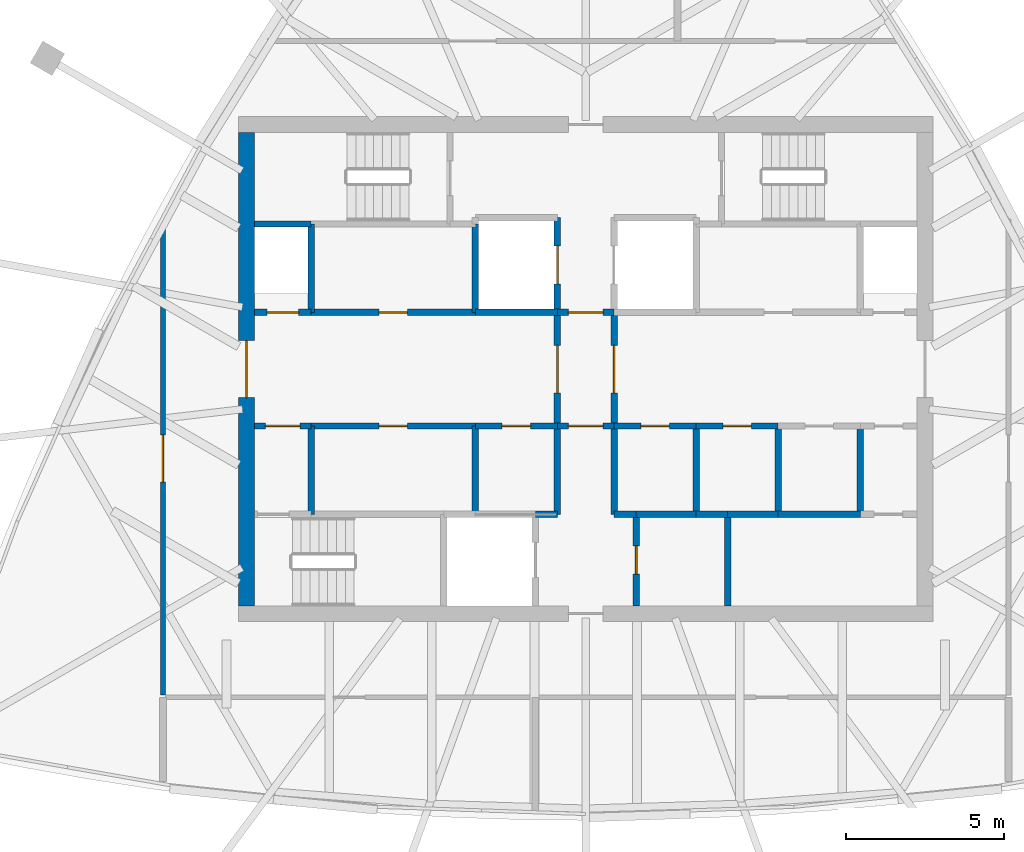
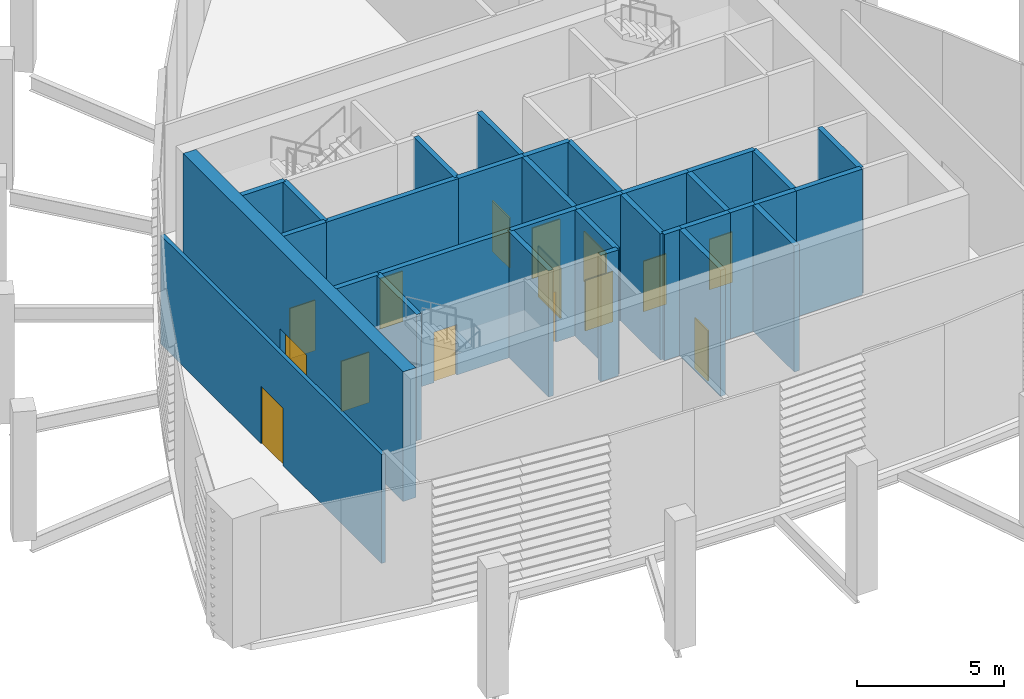
# One storey, part 3 of 8: 33 walls, 15 doors, 15 openings.
"""IFC4 building model written with IfcOpenShell, lengths in metres."""

import ifcopenshell
import ifcopenshell.guid

model = None  # the IFC model being written
_history = None  # IfcOwnerHistory: only IFC2X3 demands one
_inside = {}  # id of a spatial element -> (the spatial element, [elements in it])
_under = {}  # id of a project, library or spatial element -> (it, [spatial elements below it])
_declared = {}  # id of a project -> (the project, [libraries it declares])
_typed = {}  # id of a type object -> (the type object, [elements of that type])
_made_of = {}  # id of a material, layer set ... -> (it, [elements and type objects made of it])


def new_model(schema):
    """Start an empty IFC model of exactly this schema.

    Asked for "IFC4X3", IfcOpenShell would pick the latest addendum, in which some entities
    have other attributes; the version numbers below select the first issue.
    IFC2X3 requires an IfcOwnerHistory on every rooted entity: one is made here for all.
    """
    global model, _history
    if schema == "IFC4X3":
        model = ifcopenshell.file(schema_version=(4, 3, 0, 0))
    else:
        model = ifcopenshell.file(schema=schema)
    _inside.clear()
    _under.clear()
    _declared.clear()
    _typed.clear()
    _made_of.clear()
    _history = None
    if model.schema == "IFC2X3":
        org = make("IfcOrganization", Name="unknown")
        user = make(
            "IfcPersonAndOrganization",
            ThePerson=make("IfcPerson", FamilyName="unknown"),
            TheOrganization=org,
        )
        app = make(
            "IfcApplication",
            ApplicationDeveloper=org,
            Version="unknown",
            ApplicationFullName="unknown",
            ApplicationIdentifier="unknown",
        )
        _history = make(
            "IfcOwnerHistory",
            OwningUser=user,
            OwningApplication=app,
            ChangeAction="ADDED",
            CreationDate=0,
        )
    return model


def make(cls, **values):
    """One entity of the class cls with the attributes given. An attribute that is None is left unset."""
    return model.create_entity(
        cls, **{name: value for name, value in values.items() if value is not None}
    )


def rooted(cls, **values):
    """An entity with a GlobalId (a new one), such as an element, a storey or a relation."""
    return make(cls, GlobalId=ifcopenshell.guid.new(), OwnerHistory=_history, **values)


def si_unit(unit_type, name, prefix=None):
    """IfcSIUnit, for example si_unit("LENGTHUNIT", "METRE", prefix="MILLI")."""
    return make("IfcSIUnit", UnitType=unit_type, Prefix=prefix, Name=name)


def assignment(units):
    """IfcUnitAssignment: the units of a project."""
    return None if units is None else make("IfcUnitAssignment", Units=units)


def point(xyz):
    """IfcCartesianPoint."""
    return None if xyz is None else make("IfcCartesianPoint", Coordinates=xyz)


def direction(xyz):
    """IfcDirection."""
    return None if xyz is None else make("IfcDirection", DirectionRatios=xyz)


def frame(location, z_axis=None, x_axis=None):
    """IfcAxis2Placement3D, a coordinate frame: its origin and axes. An axis left out is left unset."""
    return make(
        "IfcAxis2Placement3D",
        Location=point(location),
        Axis=direction(z_axis),
        RefDirection=direction(x_axis),
    )


def frame_2d(location, x_axis=None):
    """IfcAxis2Placement2D, a coordinate frame in the plane: its origin and x axis."""
    return make(
        "IfcAxis2Placement2D", Location=point(location), RefDirection=direction(x_axis)
    )


def origin():
    """The frame at (0, 0, 0) with its axes left unset."""
    return frame((0.0, 0.0, 0.0))


def place(relative_to, where):
    """IfcLocalPlacement: puts the frame where relative to a parent placement (None: the world)."""
    return make(
        "IfcLocalPlacement", PlacementRelTo=relative_to, RelativePlacement=where
    )


def context(
    kind, dimensions, precision=None, world=None, true_north=None, identifier=None
):
    """IfcGeometricRepresentationContext, for example the 3D "Model" context."""
    return make(
        "IfcGeometricRepresentationContext",
        ContextIdentifier=identifier,
        ContextType=kind,
        CoordinateSpaceDimension=dimensions,
        Precision=precision,
        WorldCoordinateSystem=world,
        TrueNorth=true_north,
    )


def subcontext(parent, identifier, kind, view, scale=None):
    """IfcGeometricRepresentationSubContext, for example "Body" below "Model"."""
    return make(
        "IfcGeometricRepresentationSubContext",
        ContextIdentifier=identifier,
        ContextType=kind,
        ParentContext=parent,
        TargetScale=scale,
        TargetView=view,
    )


def project(units=None, contexts=None):
    """IfcProject with its units and contexts."""
    return rooted(
        "IfcProject",
        Name="project",
        RepresentationContexts=contexts,
        UnitsInContext=assignment(units),
    )


def spatial(cls, under=None, at=None, **own):
    """A site, building, storey or space (cls), placed at a placement, below another one or the project."""
    s = rooted(cls, ObjectPlacement=at, **own)
    if under is not None:
        _under.setdefault(under.id(), (under, []))[1].append(s)
    return s


def profile(cls, at=None, kind="AREA", **sizes):
    """A parametric profile (cls). Its sizes go by their IFC names, for example OverallWidth=200.0."""
    return make(cls, ProfileType=kind, Position=at, **sizes)


def rectangle(**sizes):
    """IfcRectangleProfileDef."""
    return profile("IfcRectangleProfileDef", **sizes)


def extrude(swept, where, along, depth):
    """IfcExtrudedAreaSolid: the profile swept, set in the frame where, extruded along a direction by depth."""
    return make(
        "IfcExtrudedAreaSolid",
        SweptArea=swept,
        Position=where,
        ExtrudedDirection=direction(along),
        Depth=depth,
    )


def shape(context_of_items, identifier, shape_type, items):
    """IfcShapeRepresentation: the items that make up one representation, for example the "Body"."""
    return make(
        "IfcShapeRepresentation",
        ContextOfItems=context_of_items,
        RepresentationIdentifier=identifier,
        RepresentationType=shape_type,
        Items=items,
    )


def material(Name=None, Category=None):
    """IfcMaterial."""
    return make("IfcMaterial", Name=Name, Category=Category)


def layer(
    of_material, thickness, ventilated=None, Name=None, Category=None, Priority=None
):
    """IfcMaterialLayer: one layer of a wall or slab, of a material (None: an air gap)."""
    return make(
        "IfcMaterialLayer",
        Material=of_material,
        LayerThickness=thickness,
        IsVentilated=ventilated,
        Name=Name,
        Category=Category,
        Priority=Priority,
    )


def layer_set(layers, Name=None):
    """IfcMaterialLayerSet."""
    return make("IfcMaterialLayerSet", MaterialLayers=layers, LayerSetName=Name)


def made_of(thing, what):
    """Note that an element or type object is made of a material, layer set ...; save() writes the relation."""
    if what is not None:
        _made_of.setdefault(what.id(), (what, []))[1].append(thing)
    return thing


def type_object(cls, material=None, **own):
    """A type object (cls), such as IfcWallType, which elements share."""
    return made_of(rooted(cls, **own), material)


def element(
    cls,
    number,
    at=None,
    inside=None,
    cuts=None,
    type_object=None,
    material=None,
    context=None,
    identifier="Body",
    shape_type=None,
    held_by="IfcProductDefinitionShape",
    body=None,
    shapes=None,
    **own,
):
    """One element of the class cls, such as IfcWall. Its Tag is "e" and its number.

    at: its placement. inside: the storey or other place that contains it. cuts: it is an
    opening in that element (IfcRelVoidsElement). A single representation is given by context,
    identifier, shape_type and body (its items); several are given by shapes. held_by: the class
    of the entity that holds the representations. save() writes the other relations.
    """
    e = rooted(cls, Tag="e%d" % number, ObjectPlacement=at, **own)
    if body is not None:
        shapes = [shape(context, identifier, shape_type, body)]
    if shapes is not None:
        e.Representation = make(held_by, Representations=shapes)
    if inside is not None:
        _inside.setdefault(inside.id(), (inside, []))[1].append(e)
    if cuts is not None:
        rooted(
            "IfcRelVoidsElement", RelatingBuildingElement=cuts, RelatedOpeningElement=e
        )
    if type_object is not None:
        _typed.setdefault(type_object.id(), (type_object, []))[1].append(e)
    return made_of(e, material)


def fill(opening, filler):
    """IfcRelFillsElement: the door or window that sits in an opening."""
    return rooted(
        "IfcRelFillsElement",
        RelatingOpeningElement=opening,
        RelatedBuildingElement=filler,
    )


def aggregate(whole, parts):
    """IfcRelAggregates: a whole, such as a stair, and the parts it consists of."""
    return rooted("IfcRelAggregates", RelatingObject=whole, RelatedObjects=parts)


def save(model, path):
    """Write the relations noted so far, then the file.

    IfcRelAggregates (storeys below a building ...), IfcRelContainedInSpatialStructure (elements
    in a storey), IfcRelDefinesByType, IfcRelAssociatesMaterial and IfcRelDeclares: one each for
    every whole, place, type object, material and project.
    """
    for whole, parts in _under.values():
        aggregate(whole, parts)
    for where, things in _inside.values():
        rooted(
            "IfcRelContainedInSpatialStructure",
            RelatedElements=things,
            RelatingStructure=where,
        )
    for kind, things in _typed.values():
        rooted("IfcRelDefinesByType", RelatedObjects=things, RelatingType=kind)
    for what, things in _made_of.values():
        rooted("IfcRelAssociatesMaterial", RelatedObjects=things, RelatingMaterial=what)
    for by, libraries in _declared.values():
        rooted("IfcRelDeclares", RelatingContext=by, RelatedDefinitions=libraries)
    model.write(path)


model = new_model("IFC4")

# Units and contexts
model_context = context("Model", 3, precision=1e-05, world=origin(), true_north=direction((0.0, 1.0)))
body_context = subcontext(model_context, "Body", "Model", "MODEL_VIEW")
ifc_project = project(units=[si_unit("LENGTHUNIT", "METRE"), si_unit("AREAUNIT", "SQUARE_METRE"), si_unit("VOLUMEUNIT", "CUBIC_METRE"), si_unit("PLANEANGLEUNIT", "RADIAN"), si_unit("MASSUNIT", "GRAM", prefix="KILO")], contexts=[model_context])

# Site, building, storey
site_placement = place(None, origin())
site = spatial("IfcSite", under=ifc_project, at=site_placement, CompositionType="ELEMENT")
building_placement = place(site_placement, origin())
building = spatial("IfcBuilding", under=site, at=building_placement, Name="Sierra Prisma Convention Tower", CompositionType="ELEMENT")
storey_placement = place(building_placement, frame((0.0, 0.0, 350.199951171875)))
storey = spatial("IfcBuildingStorey", under=building, at=storey_placement, Name="L78", CompositionType="ELEMENT", Elevation=350.199951171875)

# Wall, opening, door
ifc_material_1 = material(Name="Concrete C30/37", Category="concrete")
ifc_layer_1 = layer(ifc_material_1, 0.199951171875)
ifc_layer_set_1 = layer_set([ifc_layer_1], Name="Core wall RC 200 C30/37")
wall_type_1 = type_object("IfcWallType", Name="Core wall RC 200 C30/37", PredefinedType="SOLIDWALL", material=ifc_layer_set_1)
wall_1_placement = place(storey_placement, frame((-10.5, -1.800048828125, 0.0), z_axis=(0.0, 0.0, 1.0), x_axis=(1.0, 0.0, 0.0)))
wall_1 = element("IfcWall", 1, at=wall_1_placement, inside=storey, type_object=wall_type_1, Name="Core wall L78 2", PredefinedType="SOLIDWALL", context=body_context, shape_type="SweptSolid", body=[
    extrude(rectangle(XDim=1.800048828125, YDim=0.199951171875, at=frame_2d((0.89990234375, 0.0))), origin(), (0.0, 0.0, 1.0), 5.25),
])
opening_1_placement = place(wall_1_placement, frame((0.35009765625, 0.0, 0.0)))
opening_1 = element("IfcOpeningElement", 2, at=opening_1_placement, cuts=wall_1, Name="Opening L78-D006", PredefinedType="OPENING", context=body_context, shape_type="SweptSolid", body=[
    extrude(rectangle(XDim=1.10009765625, YDim=2.10009765625, at=frame_2d((0.550048828125, 1.050048828125))), frame((0.0, 0.10009765625, 0.0), z_axis=(0.0, -1.0, 0.0), x_axis=(1.0, 0.0, 0.0)), (0.0, 0.0, 1.0), 0.199951171875),
])
ifc_material_2 = material(Name="Steel fire door leaf", Category="steel")
door_type_1 = type_object("IfcDoorType", Name="Door 1100x2100 FD90S", OperationType="SINGLE_SWING_LEFT", PredefinedType="DOOR", material=ifc_material_2)
door_1_placement = place(opening_1_placement, origin())
door_1 = element("IfcDoor", 3, at=door_1_placement, inside=storey, type_object=door_type_1, Name="Door L78 12", OperationType="SINGLE_SWING_LEFT", OverallHeight=2.10009765625, OverallWidth=1.10009765625, PredefinedType="DOOR", context=body_context, shape_type="SweptSolid", body=[
    extrude(rectangle(XDim=1.10009765625, YDim=2.10009765625, at=frame_2d((0.550048828125, 1.050048828125))), frame((0.0, 0.02490234375, 0.0), z_axis=(0.0, -1.0, 0.0), x_axis=(1.0, 0.0, 0.0)), (0.0, 0.0, 1.0), 0.050048828125),
])
fill(opening_1, door_1)

wall_2_placement = place(storey_placement, frame((-8.699951171875, 1.800048828125, 0.0), z_axis=(0.0, 0.0, 1.0), x_axis=(-1.0, 0.0, 0.0)))
wall_2 = element("IfcWall", 4, at=wall_2_placement, inside=storey, type_object=wall_type_1, Name="Core wall L78 3", PredefinedType="SOLIDWALL", context=body_context, shape_type="SweptSolid", body=[
    extrude(rectangle(XDim=1.800048828125, YDim=0.199951171875, at=frame_2d((0.89990234375, 0.0))), origin(), (0.0, 0.0, 1.0), 5.25),
])
opening_2_placement = place(wall_2_placement, frame((0.39990234375, 0.0, 0.0)))
opening_2 = element("IfcOpeningElement", 5, at=opening_2_placement, cuts=wall_2, Name="Opening L78-D009", PredefinedType="OPENING", context=body_context, shape_type="SweptSolid", body=[
    extrude(rectangle(XDim=1.0, YDim=2.10009765625, at=frame_2d((0.5, 1.050048828125))), frame((0.0, 0.10009765625, 0.0), z_axis=(0.0, -1.0, 0.0), x_axis=(1.0, 0.0, 0.0)), (0.0, 0.0, 1.0), 0.199951171875),
])
ifc_material_3 = material(Name="Steel fire door leaf", Category="steel")
door_type_2 = type_object("IfcDoorType", Name="Door 1000x2100 FD60S", OperationType="SINGLE_SWING_LEFT", PredefinedType="DOOR", material=ifc_material_3)
door_2_placement = place(opening_2_placement, origin())
door_2 = element("IfcDoor", 6, at=door_2_placement, inside=storey, type_object=door_type_2, Name="Door L78 15", OperationType="SINGLE_SWING_RIGHT", OverallHeight=2.10009765625, OverallWidth=1.0, PredefinedType="DOOR", context=body_context, shape_type="SweptSolid", body=[
    extrude(rectangle(XDim=1.0, YDim=2.10009765625, at=frame_2d((0.5, 1.050048828125))), frame((0.0, 0.02490234375, 0.0), z_axis=(0.0, -1.0, 0.0), x_axis=(1.0, 0.0, 0.0)), (0.0, 0.0, 1.0), 0.050048828125),
])
fill(opening_2, door_2)

# Walls
wall_3_placement = place(storey_placement, frame((-8.699951171875, 4.60009765625, 0.0), z_axis=(0.0, 0.0, 1.0), x_axis=(-1.0, 0.0, 0.0)))
element("IfcWall", 7, at=wall_3_placement, inside=storey, type_object=wall_type_1, Name="Core wall L78 4", PredefinedType="SOLIDWALL", context=body_context, shape_type="SweptSolid", body=[
    extrude(rectangle(XDim=1.800048828125, YDim=0.199951171875, at=frame_2d((0.89990234375, 0.0))), origin(), (0.0, 0.0, 1.0), 5.25),
])
wall_4_placement = place(storey_placement, frame((-8.699951171875, -1.800048828125, 0.0), z_axis=(0.0, 0.0, 1.0), x_axis=(0.0, -1.0, 0.0)))
element("IfcWall", 8, at=wall_4_placement, inside=storey, type_object=wall_type_1, Name="Core wall L78 6", PredefinedType="SOLIDWALL", context=body_context, shape_type="SweptSolid", body=[
    extrude(rectangle(XDim=2.800048828125, YDim=0.199951171875, at=frame_2d((1.39990234375, 0.0))), origin(), (0.0, 0.0, 1.0), 5.25),
])

# Wall, opening, door
wall_5_placement = place(storey_placement, frame((-3.5, -1.800048828125, 0.0), z_axis=(0.0, 0.0, 1.0), x_axis=(-1.0, 0.0, 0.0)))
wall_5 = element("IfcWall", 9, at=wall_5_placement, inside=storey, type_object=wall_type_1, Name="Core wall L78 7", PredefinedType="SOLIDWALL", context=body_context, shape_type="SweptSolid", body=[
    extrude(rectangle(XDim=5.199951171875, YDim=0.199951171875, at=frame_2d((2.60009765625, 0.0))), origin(), (0.0, 0.0, 1.0), 5.25),
])
opening_3_placement = place(wall_5_placement, frame((2.14990234375, 0.0, 0.0)))
opening_3 = element("IfcOpeningElement", 10, at=opening_3_placement, cuts=wall_5, Name="Opening L78-D015", PredefinedType="OPENING", context=body_context, shape_type="SweptSolid", body=[
    extrude(rectangle(XDim=0.89990234375, YDim=2.10009765625, at=frame_2d((0.449951171875, 1.050048828125))), frame((0.0, 0.10009765625, 0.0), z_axis=(0.0, -1.0, 0.0), x_axis=(1.0, 0.0, 0.0)), (0.0, 0.0, 1.0), 0.199951171875),
])
ifc_material_4 = material(Name="Steel fire door leaf", Category="steel")
door_type_3 = type_object("IfcDoorType", Name="Door 900x2100 FD30S", OperationType="SINGLE_SWING_LEFT", PredefinedType="DOOR", material=ifc_material_4)
door_3_placement = place(opening_3_placement, origin())
door_3 = element("IfcDoor", 11, at=door_3_placement, inside=storey, type_object=door_type_3, Name="Door L78 21", OperationType="SINGLE_SWING_LEFT", OverallHeight=2.10009765625, OverallWidth=0.89990234375, PredefinedType="DOOR", context=body_context, shape_type="SweptSolid", body=[
    extrude(rectangle(XDim=0.89990234375, YDim=2.10009765625, at=frame_2d((0.449951171875, 1.050048828125))), frame((0.0, 0.02490234375, 0.0), z_axis=(0.0, -1.0, 0.0), x_axis=(1.0, 0.0, 0.0)), (0.0, 0.0, 1.0), 0.050048828125),
])
fill(opening_3, door_3)

wall_6_placement = place(storey_placement, frame((-8.699951171875, 1.800048828125, 0.0), z_axis=(0.0, 0.0, 1.0), x_axis=(1.0, 0.0, 0.0)))
wall_6 = element("IfcWall", 12, at=wall_6_placement, inside=storey, type_object=wall_type_1, Name="Core wall L78 8", PredefinedType="SOLIDWALL", context=body_context, shape_type="SweptSolid", body=[
    extrude(rectangle(XDim=5.199951171875, YDim=0.199951171875, at=frame_2d((2.60009765625, 0.0))), origin(), (0.0, 0.0, 1.0), 5.25),
])
opening_4_placement = place(wall_6_placement, frame((2.14990234375, 0.0, 0.0)))
opening_4 = element("IfcOpeningElement", 13, at=opening_4_placement, cuts=wall_6, Name="Opening L78-D020", PredefinedType="OPENING", context=body_context, shape_type="SweptSolid", body=[
    extrude(rectangle(XDim=0.89990234375, YDim=2.10009765625, at=frame_2d((0.449951171875, 1.050048828125))), frame((0.0, 0.10009765625, 0.0), z_axis=(0.0, -1.0, 0.0), x_axis=(1.0, 0.0, 0.0)), (0.0, 0.0, 1.0), 0.199951171875),
])
door_4_placement = place(opening_4_placement, origin())
door_4 = element("IfcDoor", 14, at=door_4_placement, inside=storey, type_object=door_type_3, Name="Door L78 26", OperationType="SINGLE_SWING_RIGHT", OverallHeight=2.10009765625, OverallWidth=0.89990234375, PredefinedType="DOOR", context=body_context, shape_type="SweptSolid", body=[
    extrude(rectangle(XDim=0.89990234375, YDim=2.10009765625, at=frame_2d((0.449951171875, 1.050048828125))), frame((0.0, 0.02490234375, 0.0), z_axis=(0.0, -1.0, 0.0), x_axis=(1.0, 0.0, 0.0)), (0.0, 0.0, 1.0), 0.050048828125),
])
fill(opening_4, door_4)

# Walls
for number, where, z_axis, x_axis, name in (
    (15, (-8.699951171875, 4.60009765625, 0.0), (0.0, 0.0, 1.0), (0.0, -1.0, 0.0), "Core wall L78 9"),
    (16, (-3.5, -4.60009765625, 0.0), (0.0, 0.0, 1.0), (0.0, 1.0, 0.0), "Core wall L78 16"),
):
    element("IfcWall", number, at=place(storey_placement, frame(where, z_axis=z_axis, x_axis=x_axis)), inside=storey, type_object=wall_type_1, Name=name, PredefinedType="SOLIDWALL", context=body_context, shape_type="SweptSolid", body=[
        extrude(rectangle(XDim=2.800048828125, YDim=0.199951171875, at=frame_2d((1.39990234375, 0.0))), origin(), (0.0, 0.0, 1.0), 5.25),
    ])

# Wall, opening, door
wall_7_placement = place(storey_placement, frame((-0.89990234375, -1.800048828125, 0.0), z_axis=(0.0, 0.0, 1.0), x_axis=(-1.0, 0.0, 0.0)))
wall_7 = element("IfcWall", 17, at=wall_7_placement, inside=storey, type_object=wall_type_1, Name="Core wall L78 17", PredefinedType="SOLIDWALL", context=body_context, shape_type="SweptSolid", body=[
    extrude(rectangle(XDim=2.60009765625, YDim=0.199951171875, at=frame_2d((1.300048828125, 0.0))), origin(), (0.0, 0.0, 1.0), 5.25),
])
opening_5_placement = place(wall_7_placement, frame((0.85009765625, 0.0, 0.0)))
opening_5 = element("IfcOpeningElement", 18, at=opening_5_placement, cuts=wall_7, Name="Opening L78-D016", PredefinedType="OPENING", context=body_context, shape_type="SweptSolid", body=[
    extrude(rectangle(XDim=0.89990234375, YDim=2.10009765625, at=frame_2d((0.449951171875, 1.050048828125))), frame((0.0, 0.10009765625, 0.0), z_axis=(0.0, -1.0, 0.0), x_axis=(1.0, 0.0, 0.0)), (0.0, 0.0, 1.0), 0.199951171875),
])
door_5_placement = place(opening_5_placement, origin())
door_5 = element("IfcDoor", 19, at=door_5_placement, inside=storey, type_object=door_type_3, Name="Door L78 22", OperationType="SINGLE_SWING_LEFT", OverallHeight=2.10009765625, OverallWidth=0.89990234375, PredefinedType="DOOR", context=body_context, shape_type="SweptSolid", body=[
    extrude(rectangle(XDim=0.89990234375, YDim=2.10009765625, at=frame_2d((0.449951171875, 1.050048828125))), frame((0.0, 0.02490234375, 0.0), z_axis=(0.0, -1.0, 0.0), x_axis=(1.0, 0.0, 0.0)), (0.0, 0.0, 1.0), 0.050048828125),
])
fill(opening_5, door_5)

# Walls
wall_8_placement = place(storey_placement, frame((-0.89990234375, 1.800048828125, 0.0), z_axis=(0.0, 0.0, 1.0), x_axis=(-1.0, 0.0, 0.0)))
element("IfcWall", 20, at=wall_8_placement, inside=storey, type_object=wall_type_1, Name="Core wall L78 18", PredefinedType="SOLIDWALL", context=body_context, shape_type="SweptSolid", body=[
    extrude(rectangle(XDim=2.60009765625, YDim=0.199951171875, at=frame_2d((1.300048828125, 0.0))), origin(), (0.0, 0.0, 1.0), 5.25),
])
wall_9_placement = place(storey_placement, frame((-3.5, 1.800048828125, 0.0), z_axis=(0.0, 0.0, 1.0), x_axis=(0.0, 1.0, 0.0)))
element("IfcWall", 21, at=wall_9_placement, inside=storey, type_object=wall_type_1, Name="Core wall L78 19", PredefinedType="SOLIDWALL", context=body_context, shape_type="SweptSolid", body=[
    extrude(rectangle(XDim=2.800048828125, YDim=0.199951171875, at=frame_2d((1.39990234375, 0.0))), origin(), (0.0, 0.0, 1.0), 5.25),
])

# Wall, opening, door
wall_10_placement = place(storey_placement, frame((-0.89990234375, 1.800048828125, 0.0), z_axis=(0.0, 0.0, 1.0), x_axis=(0.0, 1.0, 0.0)))
wall_10 = element("IfcWall", 22, at=wall_10_placement, inside=storey, type_object=wall_type_1, Name="Core wall L78 20", PredefinedType="SOLIDWALL", context=body_context, shape_type="SweptSolid", body=[
    extrude(rectangle(XDim=3.0, YDim=0.199951171875, at=frame_2d((1.5, 0.0))), origin(), (0.0, 0.0, 1.0), 5.25),
])
opening_6_placement = place(wall_10_placement, frame((0.89990234375, 0.0, 0.0)))
opening_6 = element("IfcOpeningElement", 23, at=opening_6_placement, cuts=wall_10, Name="Opening L78-D001", PredefinedType="OPENING", context=body_context, shape_type="SweptSolid", body=[
    extrude(rectangle(XDim=1.199951171875, YDim=2.10009765625, at=frame_2d((0.60009765625, 1.050048828125))), frame((0.0, 0.10009765625, 0.0), z_axis=(0.0, -1.0, 0.0), x_axis=(1.0, 0.0, 0.0)), (0.0, 0.0, 1.0), 0.199951171875),
])
ifc_material_5 = material(Name="Steel fire door leaf", Category="steel")
door_type_4 = type_object("IfcDoorType", Name="Door 1200x2100 EI 90 sliding lift landing", OperationType="SLIDING_TO_LEFT", PredefinedType="DOOR", material=ifc_material_5)
door_6_placement = place(opening_6_placement, origin())
door_6 = element("IfcDoor", 24, at=door_6_placement, inside=storey, type_object=door_type_4, Name="Door L78 7", OperationType="SLIDING_TO_RIGHT", OverallHeight=2.10009765625, OverallWidth=1.199951171875, PredefinedType="DOOR", context=body_context, shape_type="SweptSolid", body=[
    extrude(rectangle(XDim=1.199951171875, YDim=2.10009765625, at=frame_2d((0.60009765625, 1.050048828125))), frame((0.0, 0.02490234375, 0.0), z_axis=(0.0, -1.0, 0.0), x_axis=(1.0, 0.0, 0.0)), (0.0, 0.0, 1.0), 0.050048828125),
])
fill(opening_6, door_6)

# Walls
wall_11_placement = place(storey_placement, frame((-1.60009765625, -4.60009765625, 0.0), z_axis=(0.0, 0.0, 1.0), x_axis=(1.0, 0.0, 0.0)))
element("IfcWall", 25, at=wall_11_placement, inside=storey, type_object=wall_type_1, Name="Core wall L78 24", PredefinedType="SOLIDWALL", context=body_context, shape_type="SweptSolid", body=[
    extrude(rectangle(XDim=0.7001953125, YDim=0.199951171875, at=frame_2d((0.35009765625, 0.0))), origin(), (0.0, 0.0, 1.0), 5.25),
])
wall_12_placement = place(storey_placement, frame((-0.89990234375, -4.60009765625, 0.0), z_axis=(0.0, 0.0, 1.0), x_axis=(0.0, 1.0, 0.0)))
element("IfcWall", 26, at=wall_12_placement, inside=storey, type_object=wall_type_1, Name="Core wall L78 25", PredefinedType="SOLIDWALL", context=body_context, shape_type="SweptSolid", body=[
    extrude(rectangle(XDim=2.800048828125, YDim=0.199951171875, at=frame_2d((1.39990234375, 0.0))), origin(), (0.0, 0.0, 1.0), 5.25),
])

# Wall, opening, door
wall_13_placement = place(storey_placement, frame((-0.89990234375, -1.800048828125, 0.0), z_axis=(0.0, 0.0, 1.0), x_axis=(1.0, 0.0, 0.0)))
wall_13 = element("IfcWall", 27, at=wall_13_placement, inside=storey, type_object=wall_type_1, Name="Core wall L78 26", PredefinedType="SOLIDWALL", context=body_context, shape_type="SweptSolid", body=[
    extrude(rectangle(XDim=1.7998046875, YDim=0.199951171875, at=frame_2d((0.89990234375, 0.0))), origin(), (0.0, 0.0, 1.0), 5.25),
])
opening_7_placement = place(wall_13_placement, frame((0.35009765625, 0.0, 0.0)))
opening_7 = element("IfcOpeningElement", 28, at=opening_7_placement, cuts=wall_13, Name="Opening L78-D008", PredefinedType="OPENING", context=body_context, shape_type="SweptSolid", body=[
    extrude(rectangle(XDim=1.10009765625, YDim=2.10009765625, at=frame_2d((0.550048828125, 1.050048828125))), frame((0.0, 0.10009765625, 0.0), z_axis=(0.0, -1.0, 0.0), x_axis=(1.0, 0.0, 0.0)), (0.0, 0.0, 1.0), 0.199951171875),
])
ifc_material_6 = material(Name="Steel fire door leaf", Category="steel")
door_type_5 = type_object("IfcDoorType", Name="Door 1100x2100 FD30S", OperationType="SINGLE_SWING_LEFT", PredefinedType="DOOR", material=ifc_material_6)
door_7_placement = place(opening_7_placement, origin())
door_7 = element("IfcDoor", 29, at=door_7_placement, inside=storey, type_object=door_type_5, Name="Door L78 14", OperationType="SINGLE_SWING_RIGHT", OverallHeight=2.10009765625, OverallWidth=1.10009765625, PredefinedType="DOOR", context=body_context, shape_type="SweptSolid", body=[
    extrude(rectangle(XDim=1.10009765625, YDim=2.10009765625, at=frame_2d((0.550048828125, 1.050048828125))), frame((0.0, 0.02490234375, 0.0), z_axis=(0.0, -1.0, 0.0), x_axis=(1.0, 0.0, 0.0)), (0.0, 0.0, 1.0), 0.050048828125),
])
fill(opening_7, door_7)

wall_14_placement = place(storey_placement, frame((-0.89990234375, 1.800048828125, 0.0), z_axis=(0.0, 0.0, 1.0), x_axis=(0.0, -1.0, 0.0)))
wall_14 = element("IfcWall", 30, at=wall_14_placement, inside=storey, type_object=wall_type_1, Name="Core wall L78 27", PredefinedType="SOLIDWALL", context=body_context, shape_type="SweptSolid", body=[
    extrude(rectangle(XDim=3.60009765625, YDim=0.199951171875, at=frame_2d((1.800048828125, 0.0))), origin(), (0.0, 0.0, 1.0), 5.25),
])
opening_8_placement = place(wall_14_placement, frame((1.050048828125, 0.0, 0.0)))
opening_8 = element("IfcOpeningElement", 31, at=opening_8_placement, cuts=wall_14, Name="Opening L78-D004", PredefinedType="OPENING", context=body_context, shape_type="SweptSolid", body=[
    extrude(rectangle(XDim=1.5, YDim=2.10009765625, at=frame_2d((0.75, 1.050048828125))), frame((0.0, 0.10009765625, 0.0), z_axis=(0.0, -1.0, 0.0), x_axis=(1.0, 0.0, 0.0)), (0.0, 0.0, 1.0), 0.199951171875),
])
ifc_material_7 = material(Name="Steel fire door leaf", Category="steel")
door_type_6 = type_object("IfcDoorType", Name="Door 1500x2100 FD30S", OperationType="DOUBLE_DOOR_SINGLE_SWING", PredefinedType="DOOR", material=ifc_material_7)
door_8_placement = place(opening_8_placement, origin())
door_8 = element("IfcDoor", 32, at=door_8_placement, inside=storey, type_object=door_type_6, Name="Door L78 10", OperationType="DOUBLE_DOOR_SINGLE_SWING", OverallHeight=2.10009765625, OverallWidth=1.5, PredefinedType="DOOR", context=body_context, shape_type="SweptSolid", body=[
    extrude(rectangle(XDim=1.5, YDim=2.10009765625, at=frame_2d((0.75, 1.050048828125))), frame((0.0, 0.02490234375, 0.0), z_axis=(0.0, -1.0, 0.0), x_axis=(1.0, 0.0, 0.0)), (0.0, 0.0, 1.0), 0.050048828125),
])
fill(opening_8, door_8)

wall_15_placement = place(storey_placement, frame((0.89990234375, 1.800048828125, 0.0), z_axis=(0.0, 0.0, 1.0), x_axis=(-1.0, 0.0, 0.0)))
wall_15 = element("IfcWall", 33, at=wall_15_placement, inside=storey, type_object=wall_type_1, Name="Core wall L78 28", PredefinedType="SOLIDWALL", context=body_context, shape_type="SweptSolid", body=[
    extrude(rectangle(XDim=1.7998046875, YDim=0.199951171875, at=frame_2d((0.89990234375, 0.0))), origin(), (0.0, 0.0, 1.0), 5.25),
])
opening_9_placement = place(wall_15_placement, frame((0.35009765625, 0.0, 0.0)))
opening_9 = element("IfcOpeningElement", 34, at=opening_9_placement, cuts=wall_15, Name="Opening L78-D007", PredefinedType="OPENING", context=body_context, shape_type="SweptSolid", body=[
    extrude(rectangle(XDim=1.10009765625, YDim=2.10009765625, at=frame_2d((0.550048828125, 1.050048828125))), frame((0.0, 0.10009765625, 0.0), z_axis=(0.0, -1.0, 0.0), x_axis=(1.0, 0.0, 0.0)), (0.0, 0.0, 1.0), 0.199951171875),
])
ifc_material_8 = material(Name="Steel fire door leaf", Category="steel")
door_type_7 = type_object("IfcDoorType", Name="Door 1100x2100 FD60S", OperationType="SINGLE_SWING_LEFT", PredefinedType="DOOR", material=ifc_material_8)
door_9_placement = place(opening_9_placement, origin())
door_9 = element("IfcDoor", 35, at=door_9_placement, inside=storey, type_object=door_type_7, Name="Door L78 13", OperationType="SINGLE_SWING_LEFT", OverallHeight=2.10009765625, OverallWidth=1.10009765625, PredefinedType="DOOR", context=body_context, shape_type="SweptSolid", body=[
    extrude(rectangle(XDim=1.10009765625, YDim=2.10009765625, at=frame_2d((0.550048828125, 1.050048828125))), frame((0.0, 0.02490234375, 0.0), z_axis=(0.0, -1.0, 0.0), x_axis=(1.0, 0.0, 0.0)), (0.0, 0.0, 1.0), 0.050048828125),
])
fill(opening_9, door_9)

wall_16_placement = place(storey_placement, frame((3.5, -1.800048828125, 0.0), z_axis=(0.0, 0.0, 1.0), x_axis=(-1.0, 0.0, 0.0)))
wall_16 = element("IfcWall", 36, at=wall_16_placement, inside=storey, type_object=wall_type_1, Name="Core wall L78 29", PredefinedType="SOLIDWALL", context=body_context, shape_type="SweptSolid", body=[
    extrude(rectangle(XDim=2.60009765625, YDim=0.199951171875, at=frame_2d((1.300048828125, 0.0))), origin(), (0.0, 0.0, 1.0), 5.25),
])
opening_10_placement = place(wall_16_placement, frame((0.85009765625, 0.0, 0.0)))
opening_10 = element("IfcOpeningElement", 37, at=opening_10_placement, cuts=wall_16, Name="Opening L78-D017", PredefinedType="OPENING", context=body_context, shape_type="SweptSolid", body=[
    extrude(rectangle(XDim=0.89990234375, YDim=2.10009765625, at=frame_2d((0.449951171875, 1.050048828125))), frame((0.0, 0.10009765625, 0.0), z_axis=(0.0, -1.0, 0.0), x_axis=(1.0, 0.0, 0.0)), (0.0, 0.0, 1.0), 0.199951171875),
])
door_10_placement = place(opening_10_placement, origin())
door_10 = element("IfcDoor", 38, at=door_10_placement, inside=storey, type_object=door_type_3, Name="Door L78 23", OperationType="SINGLE_SWING_LEFT", OverallHeight=2.10009765625, OverallWidth=0.89990234375, PredefinedType="DOOR", context=body_context, shape_type="SweptSolid", body=[
    extrude(rectangle(XDim=0.89990234375, YDim=2.10009765625, at=frame_2d((0.449951171875, 1.050048828125))), frame((0.0, 0.02490234375, 0.0), z_axis=(0.0, -1.0, 0.0), x_axis=(1.0, 0.0, 0.0)), (0.0, 0.0, 1.0), 0.050048828125),
])
fill(opening_10, door_10)

wall_17_placement = place(storey_placement, frame((0.89990234375, -1.800048828125, 0.0), z_axis=(0.0, 0.0, 1.0), x_axis=(0.0, 1.0, 0.0)))
wall_17 = element("IfcWall", 39, at=wall_17_placement, inside=storey, type_object=wall_type_1, Name="Core wall L78 30", PredefinedType="SOLIDWALL", context=body_context, shape_type="SweptSolid", body=[
    extrude(rectangle(XDim=3.60009765625, YDim=0.199951171875, at=frame_2d((1.800048828125, 0.0))), origin(), (0.0, 0.0, 1.0), 5.25),
])
opening_11_placement = place(wall_17_placement, frame((1.050048828125, 0.0, 0.0)))
opening_11 = element("IfcOpeningElement", 40, at=opening_11_placement, cuts=wall_17, Name="Opening L78-D005", PredefinedType="OPENING", context=body_context, shape_type="SweptSolid", body=[
    extrude(rectangle(XDim=1.5, YDim=2.10009765625, at=frame_2d((0.75, 1.050048828125))), frame((0.0, 0.10009765625, 0.0), z_axis=(0.0, -1.0, 0.0), x_axis=(1.0, 0.0, 0.0)), (0.0, 0.0, 1.0), 0.199951171875),
])
door_11_placement = place(opening_11_placement, origin())
door_11 = element("IfcDoor", 41, at=door_11_placement, inside=storey, type_object=door_type_6, Name="Door L78 11", OperationType="DOUBLE_DOOR_SINGLE_SWING", OverallHeight=2.10009765625, OverallWidth=1.5, PredefinedType="DOOR", context=body_context, shape_type="SweptSolid", body=[
    extrude(rectangle(XDim=1.5, YDim=2.10009765625, at=frame_2d((0.75, 1.050048828125))), frame((0.0, 0.02490234375, 0.0), z_axis=(0.0, -1.0, 0.0), x_axis=(1.0, 0.0, 0.0)), (0.0, 0.0, 1.0), 0.050048828125),
])
fill(opening_11, door_11)

# Walls
wall_18_placement = place(storey_placement, frame((0.89990234375, -1.800048828125, 0.0), z_axis=(0.0, 0.0, 1.0), x_axis=(0.0, -1.0, 0.0)))
element("IfcWall", 42, at=wall_18_placement, inside=storey, type_object=wall_type_1, Name="Core wall L78 31", PredefinedType="SOLIDWALL", context=body_context, shape_type="SweptSolid", body=[
    extrude(rectangle(XDim=2.800048828125, YDim=0.199951171875, at=frame_2d((1.39990234375, 0.0))), origin(), (0.0, 0.0, 1.0), 5.25),
])
wall_19_placement = place(storey_placement, frame((0.89990234375, -4.60009765625, 0.0), z_axis=(0.0, 0.0, 1.0), x_axis=(1.0, 0.0, 0.0)))
element("IfcWall", 43, at=wall_19_placement, inside=storey, type_object=wall_type_1, Name="Core wall L78 32", PredefinedType="SOLIDWALL", context=body_context, shape_type="SweptSolid", body=[
    extrude(rectangle(XDim=0.7001953125, YDim=0.199951171875, at=frame_2d((0.35009765625, 0.0))), origin(), (0.0, 0.0, 1.0), 5.25),
])

# Wall, opening, door
wall_20_placement = place(storey_placement, frame((1.60009765625, -4.60009765625, 0.0), z_axis=(0.0, 0.0, 1.0), x_axis=(0.0, -1.0, 0.0)))
wall_20 = element("IfcWall", 44, at=wall_20_placement, inside=storey, type_object=wall_type_1, Name="Core wall L78 37", PredefinedType="SOLIDWALL", context=body_context, shape_type="SweptSolid", body=[
    extrude(rectangle(XDim=2.89990234375, YDim=0.199951171875, at=frame_2d((1.449951171875, 0.0))), origin(), (0.0, 0.0, 1.0), 5.25),
])
opening_12_placement = place(wall_20_placement, frame((1.0, 0.0, 0.0)))
opening_12 = element("IfcOpeningElement", 45, at=opening_12_placement, cuts=wall_20, Name="Opening L78-D023", PredefinedType="OPENING", context=body_context, shape_type="SweptSolid", body=[
    extrude(rectangle(XDim=0.89990234375, YDim=2.10009765625, at=frame_2d((0.449951171875, 1.050048828125))), frame((0.0, 0.10009765625, 0.0), z_axis=(0.0, -1.0, 0.0), x_axis=(1.0, 0.0, 0.0)), (0.0, 0.0, 1.0), 0.199951171875),
])
door_12_placement = place(opening_12_placement, origin())
door_12 = element("IfcDoor", 46, at=door_12_placement, inside=storey, type_object=door_type_3, Name="Door L78 29", OperationType="SINGLE_SWING_LEFT", OverallHeight=2.10009765625, OverallWidth=0.89990234375, PredefinedType="DOOR", context=body_context, shape_type="SweptSolid", body=[
    extrude(rectangle(XDim=0.89990234375, YDim=2.10009765625, at=frame_2d((0.449951171875, 1.050048828125))), frame((0.0, 0.02490234375, 0.0), z_axis=(0.0, -1.0, 0.0), x_axis=(1.0, 0.0, 0.0)), (0.0, 0.0, 1.0), 0.050048828125),
])
fill(opening_12, door_12)

# Walls
wall_21_placement = place(storey_placement, frame((1.60009765625, -4.60009765625, 0.0), z_axis=(0.0, 0.0, 1.0), x_axis=(1.0, 0.0, 0.0)))
element("IfcWall", 47, at=wall_21_placement, inside=storey, type_object=wall_type_1, Name="Core wall L78 38", PredefinedType="SOLIDWALL", context=body_context, shape_type="SweptSolid", body=[
    extrude(rectangle(XDim=1.89990234375, YDim=0.199951171875, at=frame_2d((0.949951171875, 0.0))), origin(), (0.0, 0.0, 1.0), 5.25),
])
wall_22_placement = place(storey_placement, frame((3.5, -4.60009765625, 0.0), z_axis=(0.0, 0.0, 1.0), x_axis=(1.0, 0.0, 0.0)))
element("IfcWall", 48, at=wall_22_placement, inside=storey, type_object=wall_type_1, Name="Core wall L78 39", PredefinedType="SOLIDWALL", context=body_context, shape_type="SweptSolid", body=[
    extrude(rectangle(XDim=1.0, YDim=0.199951171875, at=frame_2d((0.5, 0.0))), origin(), (0.0, 0.0, 1.0), 5.25),
])
wall_23_placement = place(storey_placement, frame((3.5, -4.60009765625, 0.0), z_axis=(0.0, 0.0, 1.0), x_axis=(0.0, 1.0, 0.0)))
element("IfcWall", 49, at=wall_23_placement, inside=storey, type_object=wall_type_1, Name="Core wall L78 40", PredefinedType="SOLIDWALL", context=body_context, shape_type="SweptSolid", body=[
    extrude(rectangle(XDim=2.800048828125, YDim=0.199951171875, at=frame_2d((1.39990234375, 0.0))), origin(), (0.0, 0.0, 1.0), 5.25),
])

# Wall, opening, door
wall_24_placement = place(storey_placement, frame((6.10009765625, -1.800048828125, 0.0), z_axis=(0.0, 0.0, 1.0), x_axis=(-1.0, 0.0, 0.0)))
wall_24 = element("IfcWall", 50, at=wall_24_placement, inside=storey, type_object=wall_type_1, Name="Core wall L78 41", PredefinedType="SOLIDWALL", context=body_context, shape_type="SweptSolid", body=[
    extrude(rectangle(XDim=2.60009765625, YDim=0.199951171875, at=frame_2d((1.300048828125, 0.0))), origin(), (0.0, 0.0, 1.0), 5.25),
])
opening_13_placement = place(wall_24_placement, frame((0.85009765625, 0.0, 0.0)))
opening_13 = element("IfcOpeningElement", 51, at=opening_13_placement, cuts=wall_24, Name="Opening L78-D018", PredefinedType="OPENING", context=body_context, shape_type="SweptSolid", body=[
    extrude(rectangle(XDim=0.89990234375, YDim=2.10009765625, at=frame_2d((0.449951171875, 1.050048828125))), frame((0.0, 0.10009765625, 0.0), z_axis=(0.0, -1.0, 0.0), x_axis=(1.0, 0.0, 0.0)), (0.0, 0.0, 1.0), 0.199951171875),
])
door_13_placement = place(opening_13_placement, origin())
door_13 = element("IfcDoor", 52, at=door_13_placement, inside=storey, type_object=door_type_3, Name="Door L78 24", OperationType="SINGLE_SWING_RIGHT", OverallHeight=2.10009765625, OverallWidth=0.89990234375, PredefinedType="DOOR", context=body_context, shape_type="SweptSolid", body=[
    extrude(rectangle(XDim=0.89990234375, YDim=2.10009765625, at=frame_2d((0.449951171875, 1.050048828125))), frame((0.0, 0.02490234375, 0.0), z_axis=(0.0, -1.0, 0.0), x_axis=(1.0, 0.0, 0.0)), (0.0, 0.0, 1.0), 0.050048828125),
])
fill(opening_13, door_13)

# Walls
wall_25_placement = place(storey_placement, frame((4.5, -4.60009765625, 0.0), z_axis=(0.0, 0.0, 1.0), x_axis=(0.0, -1.0, 0.0)))
element("IfcWall", 53, at=wall_25_placement, inside=storey, type_object=wall_type_1, Name="Core wall L78 47", PredefinedType="SOLIDWALL", context=body_context, shape_type="SweptSolid", body=[
    extrude(rectangle(XDim=2.89990234375, YDim=0.199951171875, at=frame_2d((1.449951171875, 0.0))), origin(), (0.0, 0.0, 1.0), 5.25),
])
wall_26_placement = place(storey_placement, frame((4.5, -4.60009765625, 0.0), z_axis=(0.0, 0.0, 1.0), x_axis=(1.0, 0.0, 0.0)))
element("IfcWall", 54, at=wall_26_placement, inside=storey, type_object=wall_type_1, Name="Core wall L78 48", PredefinedType="SOLIDWALL", context=body_context, shape_type="SweptSolid", body=[
    extrude(rectangle(XDim=1.60009765625, YDim=0.199951171875, at=frame_2d((0.800048828125, 0.0))), origin(), (0.0, 0.0, 1.0), 5.25),
])
wall_27_placement = place(storey_placement, frame((6.10009765625, -4.60009765625, 0.0), z_axis=(0.0, 0.0, 1.0), x_axis=(1.0, 0.0, 0.0)))
element("IfcWall", 55, at=wall_27_placement, inside=storey, type_object=wall_type_1, Name="Core wall L78 49", PredefinedType="SOLIDWALL", context=body_context, shape_type="SweptSolid", body=[
    extrude(rectangle(XDim=2.599853515625, YDim=0.199951171875, at=frame_2d((1.2998046875, 0.0))), origin(), (0.0, 0.0, 1.0), 5.25),
])
for number, where, z_axis, x_axis, name in (
    (56, (6.10009765625, -4.60009765625, 0.0), (0.0, 0.0, 1.0), (0.0, 1.0, 0.0), "Core wall L78 50"),
    (57, (8.699951171875, -4.60009765625, 0.0), (0.0, 0.0, 1.0), (0.0, 1.0, 0.0), "Core wall L78 53"),
):
    element("IfcWall", number, at=place(storey_placement, frame(where, z_axis=z_axis, x_axis=x_axis)), inside=storey, type_object=wall_type_1, Name=name, PredefinedType="SOLIDWALL", context=body_context, shape_type="SweptSolid", body=[
        extrude(rectangle(XDim=2.800048828125, YDim=0.199951171875, at=frame_2d((1.39990234375, 0.0))), origin(), (0.0, 0.0, 1.0), 5.25),
    ])

# Wall, opening, door
ifc_material_9 = material(Name="Concrete C50/60", Category="concrete")
ifc_layer_2 = layer(ifc_material_9, 0.5)
ifc_layer_set_2 = layer_set([ifc_layer_2], Name="Core wall RC 500 C50/60")
wall_type_2 = type_object("IfcWallType", Name="Core wall RC 500 C50/60", PredefinedType="SHEAR", material=ifc_layer_set_2)
wall_28_placement = place(storey_placement, frame((-10.75, -7.5, 0.0), z_axis=(0.0, 0.0, 1.0), x_axis=(0.0, 1.0, 0.0)))
wall_28 = element("IfcWall", 58, at=wall_28_placement, inside=storey, type_object=wall_type_2, Name="Core wall W L78", PredefinedType="SHEAR", context=body_context, shape_type="SweptSolid", body=[
    extrude(rectangle(XDim=15.0, YDim=0.5, at=frame_2d((7.5, 0.0))), origin(), (0.0, 0.0, 1.0), 5.400146484375),
])
opening_14_placement = place(wall_28_placement, frame((6.60009765625, 0.0, 0.0)))
opening_14 = element("IfcOpeningElement", 59, at=opening_14_placement, cuts=wall_28, Name="Opening L78-D033", PredefinedType="OPENING", context=body_context, shape_type="SweptSolid", body=[
    extrude(rectangle(XDim=1.800048828125, YDim=2.10009765625, at=frame_2d((0.89990234375, 1.050048828125))), frame((0.0, 0.25, 0.0), z_axis=(0.0, -1.0, 0.0), x_axis=(1.0, 0.0, 0.0)), (0.0, 0.0, 1.0), 0.5),
])
ifc_material_10 = material(Name="Steel fire door leaf", Category="steel")
door_type_8 = type_object("IfcDoorType", Name="Door 1800x2100 FD60S", OperationType="DOUBLE_DOOR_SINGLE_SWING", PredefinedType="DOOR", material=ifc_material_10)
door_14_placement = place(opening_14_placement, origin())
door_14 = element("IfcDoor", 60, at=door_14_placement, inside=storey, type_object=door_type_8, Name="Door L78 30", OperationType="DOUBLE_DOOR_SINGLE_SWING", OverallHeight=2.10009765625, OverallWidth=1.800048828125, PredefinedType="DOOR", context=body_context, shape_type="SweptSolid", body=[
    extrude(rectangle(XDim=1.800048828125, YDim=2.10009765625, at=frame_2d((0.89990234375, 1.050048828125))), frame((0.0, 0.02490234375, 0.0), z_axis=(0.0, -1.0, 0.0), x_axis=(1.0, 0.0, 0.0)), (0.0, 0.0, 1.0), 0.050048828125),
])
fill(opening_14, door_14)

ifc_material_11 = material(Name="Gypsum board partition", Category="gypsum")
ifc_layer_3 = layer(ifc_material_11, 0.14990234375)
ifc_layer_set_3 = layer_set([ifc_layer_3], Name="Corridor wall 150 gypsum EI 60")
wall_type_3 = type_object("IfcWallType", Name="Corridor wall 150 gypsum EI 60", PredefinedType="PARTITIONING", material=ifc_layer_set_3)
wall_29_placement = place(storey_placement, frame((-13.39990234375, 4.751708984375, 0.0), z_axis=(0.0, 0.0, 1.0), x_axis=(0.0, -1.0, 0.0)))
wall_29 = element("IfcWall", 61, at=wall_29_placement, inside=storey, type_object=wall_type_3, Name="Partition L78 corr 1", PredefinedType="PARTITIONING", context=body_context, shape_type="SweptSolid", body=[
    extrude(rectangle(XDim=15.07177734375, YDim=0.14990234375, at=frame_2d((7.535888671875, 0.0))), origin(), (0.0, 0.0, 1.0), 4.532958984375),
])
opening_15_placement = place(wall_29_placement, frame((6.8359375, 0.0, 0.0)))
opening_15 = element("IfcOpeningElement", 62, at=opening_15_placement, cuts=wall_29, Name="Opening L78-D026", PredefinedType="OPENING", context=body_context, shape_type="SweptSolid", body=[
    extrude(rectangle(XDim=1.5, YDim=2.39990234375, at=frame_2d((0.75, 1.199951171875))), frame((0.0, 0.074951171875, 0.0), z_axis=(0.0, -1.0, 0.0), x_axis=(1.0, 0.0, 0.0)), (0.0, 0.0, 1.0), 0.14990234375),
])
ifc_material_12 = material(Name="Steel fire door leaf", Category="steel")
door_type_9 = type_object("IfcDoorType", Name="Door 1500x2400 FD60S", OperationType="DOUBLE_DOOR_SINGLE_SWING", PredefinedType="DOOR", material=ifc_material_12)
door_15_placement = place(opening_15_placement, origin())
door_15 = element("IfcDoor", 63, at=door_15_placement, inside=storey, type_object=door_type_9, Name="Door L78 3", OperationType="DOUBLE_DOOR_SINGLE_SWING", OverallHeight=2.39990234375, OverallWidth=1.5, PredefinedType="DOOR", context=body_context, shape_type="SweptSolid", body=[
    extrude(rectangle(XDim=1.5, YDim=2.39990234375, at=frame_2d((0.75, 1.199951171875))), frame((0.0, 0.02490234375, 0.0), z_axis=(0.0, -1.0, 0.0), x_axis=(1.0, 0.0, 0.0)), (0.0, 0.0, 1.0), 0.050048828125),
])
fill(opening_15, door_15)

save(model, "model.ifc")
